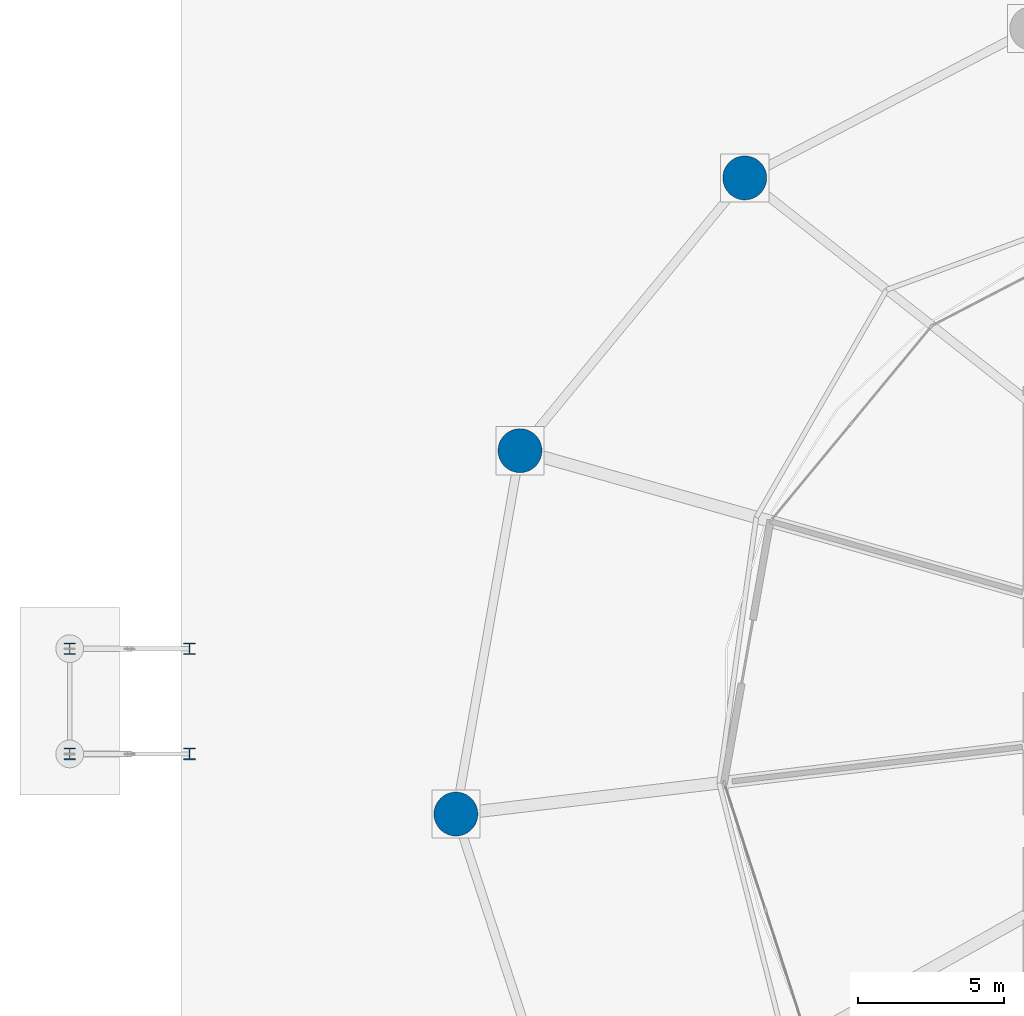
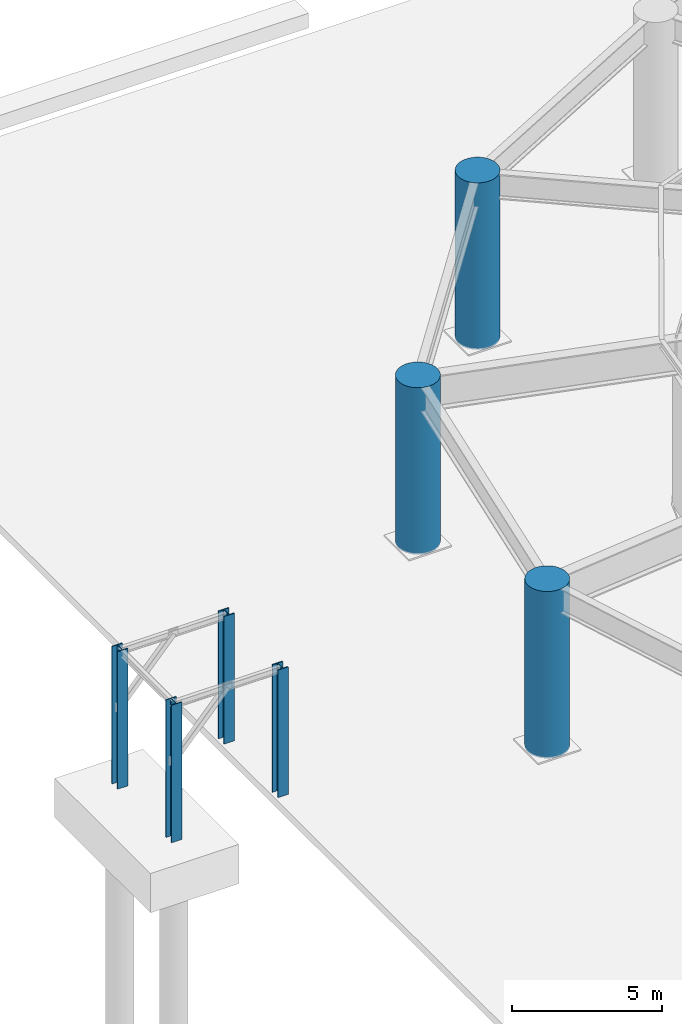
# One storey, part 2 of 28: 7 columns.
"""IFC4 building model written with IfcOpenShell, lengths in metres."""

from ifc_helpers import new_model, si_unit, direction, frame, origin, origin_2d, place, context, subcontext, project, spatial, circle, i_section, extrude, material, material_profile, profile_set, type_object, element, save


model = new_model("IFC4")

# Units and contexts
model_context = context("Model", 3, precision=1e-05, world=origin(), true_north=direction((0.0, 1.0)))
body_context = subcontext(model_context, "Body", "Model", "MODEL_VIEW")
ifc_project = project(units=[si_unit("LENGTHUNIT", "METRE"), si_unit("AREAUNIT", "SQUARE_METRE"), si_unit("VOLUMEUNIT", "CUBIC_METRE"), si_unit("PLANEANGLEUNIT", "RADIAN"), si_unit("MASSUNIT", "GRAM", prefix="KILO")], contexts=[model_context])

# Site, building, storey
site_placement = place(None, origin())
site = spatial("IfcSite", under=ifc_project, at=site_placement, CompositionType="ELEMENT")
building_placement = place(site_placement, origin())
building = spatial("IfcBuilding", under=site, at=building_placement, Name="Kazma Halo Residences", CompositionType="ELEMENT")
storey_placement = place(building_placement, origin())
storey = spatial("IfcBuildingStorey", under=building, at=storey_placement, Name="L00", CompositionType="ELEMENT", Elevation=0.0)

# Columns
ifc_material_1 = material(Name="Concrete C80/95", Category="concrete")
ifc_material_profile_1 = material_profile(ifc_material_1, circle(Radius=0.75, at=origin_2d()), Name="CIRC1500")
ifc_profile_set_1 = profile_set([ifc_material_profile_1], Name="Concrete C80/95")
column_type_1 = type_object("IfcColumnType", Name="COL-PILOTIS-1500", PredefinedType="COLUMN", material=ifc_profile_set_1)
for number, where, z_axis, x_axis, name in (
    (1, (25.291015625, 59.90234375, 0.0), (0.0, 0.0, 1.0), (1.0, 0.0, 0.0), "L00 open pilotis stilt column P06"),
    (2, (17.602294921875, 50.572998046875, 0.0), (0.0, 0.0, 1.0), (1.0, 0.0, 0.0), "L00 open pilotis stilt column P07"),
    (3, (15.410400390625, 38.142822265625, 0.0), (0.0, 0.0, 1.0), (1.0, 0.0, 0.0), "L00 open pilotis stilt column P08"),
):
    element("IfcColumn", number, at=place(storey_placement, frame(where, z_axis=z_axis, x_axis=x_axis)), inside=storey, type_object=column_type_1, Name=name, PredefinedType="COLUMN", context=body_context, shape_type="SweptSolid", body=[
        extrude(circle(Radius=0.75, at=origin_2d()), origin(), (0.0, 0.0, 1.0), 6.800048828125),
    ])
ifc_material_2 = material(Name="Steel S355", Category="steel")
ifc_material_profile_2 = material_profile(ifc_material_2, i_section(OverallWidth=0.40087890625, OverallDepth=0.39892578125, WebThickness=0.02490234375, FlangeThickness=0.03955078125, FilletRadius=0.02001953125, at=origin_2d()), Name="W360x314")
ifc_profile_set_2 = profile_set([ifc_material_profile_2], Name="Steel S355")
column_type_2 = type_object("IfcColumnType", Name="COL-STL-W360", PredefinedType="COLUMN", material=ifc_profile_set_2)
for number, where, z_axis, x_axis, name in (
    (4, (2.199951171875, 40.199951171875, -0.39990234375), (0.0, 0.0, 1.0), (1.0, 0.0, 0.0), "Porte-cochere steel column 1.1"),
    (5, (2.199951171875, 43.800048828125, -0.39990234375), (0.0, 0.0, 1.0), (1.0, 0.0, 0.0), "Porte-cochere steel column 1.2"),
):
    element("IfcColumn", number, at=place(storey_placement, frame(where, z_axis=z_axis, x_axis=x_axis)), inside=storey, type_object=column_type_2, Name=name, PredefinedType="COLUMN", context=body_context, shape_type="SweptSolid", body=[
        extrude(i_section(OverallWidth=0.40087890625, OverallDepth=0.39892578125, WebThickness=0.02490234375, FlangeThickness=0.03955078125, FilletRadius=0.02001953125, at=origin_2d()), origin(), (0.0, 0.0, 1.0), 5.599853515625),
    ])
for number, where, z_axis, x_axis, name in (
    (6, (6.300048828125, 40.199951171875, 0.0), (0.0, 0.0, 1.0), (1.0, 0.0, 0.0), "Porte-cochere inner column 1.1"),
    (7, (6.300048828125, 43.800048828125, 0.0), (0.0, 0.0, 1.0), (1.0, 0.0, 0.0), "Porte-cochere inner column 1.2"),
):
    element("IfcColumn", number, at=place(storey_placement, frame(where, z_axis=z_axis, x_axis=x_axis)), inside=storey, type_object=column_type_2, Name=name, PredefinedType="COLUMN", context=body_context, shape_type="SweptSolid", body=[
        extrude(i_section(OverallWidth=0.40087890625, OverallDepth=0.39892578125, WebThickness=0.02490234375, FlangeThickness=0.03955078125, FilletRadius=0.02001953125, at=origin_2d()), origin(), (0.0, 0.0, 1.0), 5.199951171875),
    ])

save(model, "model.ifc")
